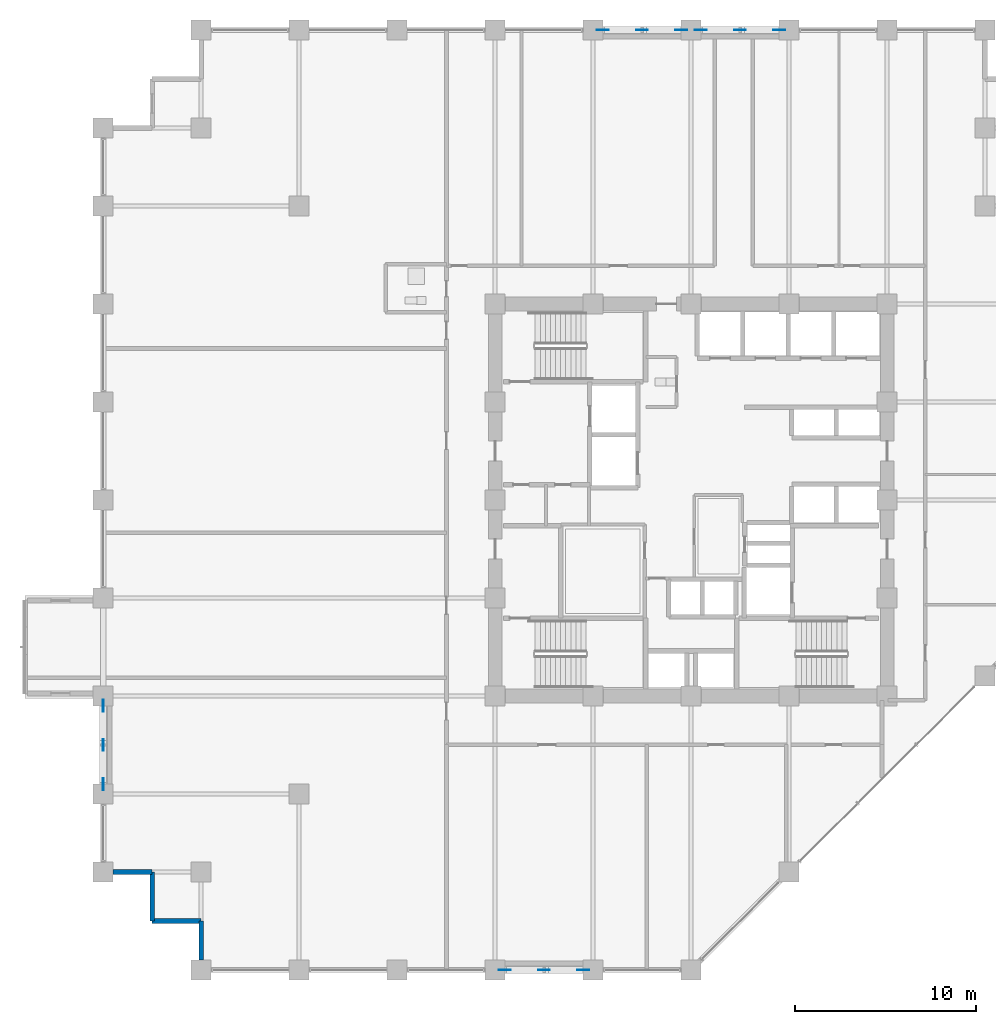
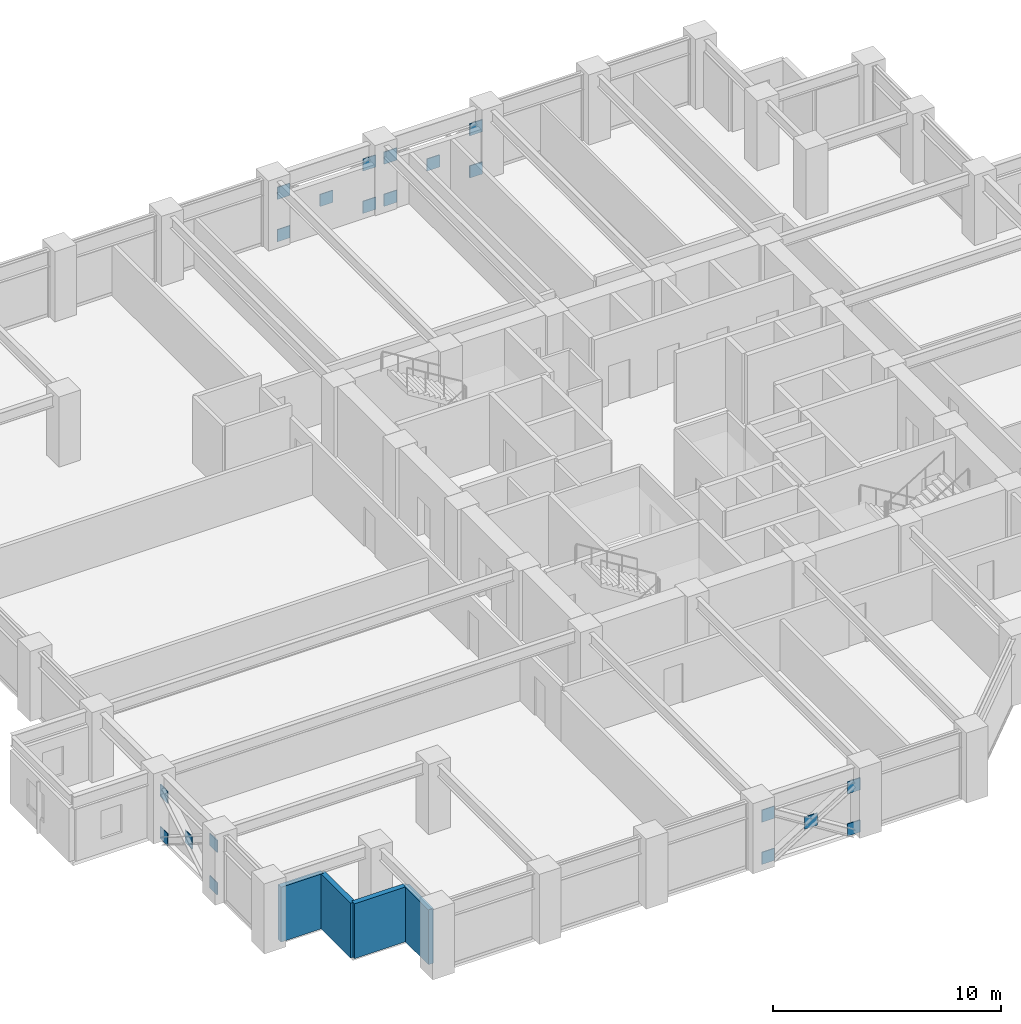
# One storey, part 21 of 29: 20 plates, 4 walls.
"""IFC4 building model written with IfcOpenShell, lengths in metres."""

from ifc_helpers import new_model, si_unit, direction, frame, frame_2d, origin, origin_2d, place, context, subcontext, project, spatial, rectangle, extrude, material, layer, layer_set, type_object, element, save


model = new_model("IFC4")

# Units and contexts
model_context = context("Model", 3, precision=1e-05, world=origin(), true_north=direction((0.0, 1.0)))
body_context = subcontext(model_context, "Body", "Model", "MODEL_VIEW")
ifc_project = project(units=[si_unit("LENGTHUNIT", "METRE"), si_unit("AREAUNIT", "SQUARE_METRE"), si_unit("VOLUMEUNIT", "CUBIC_METRE"), si_unit("PLANEANGLEUNIT", "RADIAN"), si_unit("MASSUNIT", "GRAM", prefix="KILO")], contexts=[model_context])

# Site, building, storey
site_placement = place(None, origin())
site = spatial("IfcSite", under=ifc_project, at=site_placement, CompositionType="ELEMENT")
building_placement = place(site_placement, origin())
building = spatial("IfcBuilding", under=site, at=building_placement, Name="Surkhivell Harbour Commons", CompositionType="ELEMENT")
storey_placement = place(building_placement, frame((0.0, 0.0, 90.75)))
storey = spatial("IfcBuildingStorey", under=building, at=storey_placement, Name="L23", CompositionType="ELEMENT", Elevation=90.75)

# Plates
ifc_material_1 = material(Name="Steel S460", Category="steel")
ifc_layer_1 = layer(ifc_material_1, 0.044921875)
ifc_layer_set_1 = layer_set([ifc_layer_1], Name="Steel S460")
plate_type = type_object("IfcPlateType", Name="PLT-GUS-650", PredefinedType="USERDEFINED", material=ifc_layer_set_1)
for number, where, z_axis, x_axis, name in (
    (1, (-4.864990234375, 25.89990234375, -0.08935546875), (0.0, 0.0, 1.0), (1.0, 0.0, 0.0), "L23 Perimeter Mega-Brace MB- Corner Gusset N-1"),
    (2, (-0.534912109375, 25.89990234375, -0.08935546875), (0.0, 0.0, 1.0), (1.0, 0.0, 0.0), "L23 Perimeter Mega-Brace MB- Corner Gusset N-2"),
    (3, (-4.864990234375, 25.89990234375, 2.170654296875), (0.0, 0.0, 1.0), (1.0, 0.0, 0.0), "L23 Perimeter Mega-Brace MB- Corner Gusset N-3"),
    (4, (-0.534912109375, 25.89990234375, 2.170654296875), (0.0, 0.0, 1.0), (1.0, 0.0, 0.0), "L23 Perimeter Mega-Brace MB- Corner Gusset N-4"),
    (5, (-2.699951171875, 25.89990234375, 1.04052734375), (0.0, 0.0, 1.0), (1.0, 0.0, 0.0), "L23 Perimeter Mega-Brace MB- Central Crossing Gusset N"),
    (6, (0.534912109375, 25.89990234375, -0.08935546875), (0.0, 0.0, 1.0), (1.0, 0.0, 0.0), "L23 Perimeter Mega-Brace MB- Corner Gusset N2-1"),
    (7, (4.864990234375, 25.89990234375, -0.08935546875), (0.0, 0.0, 1.0), (1.0, 0.0, 0.0), "L23 Perimeter Mega-Brace MB- Corner Gusset N2-2"),
    (8, (0.534912109375, 25.89990234375, 2.170654296875), (0.0, 0.0, 1.0), (1.0, 0.0, 0.0), "L23 Perimeter Mega-Brace MB- Corner Gusset N2-3"),
    (9, (4.864990234375, 25.89990234375, 2.170654296875), (0.0, 0.0, 1.0), (1.0, 0.0, 0.0), "L23 Perimeter Mega-Brace MB- Corner Gusset N2-4"),
    (10, (2.699951171875, 25.89990234375, 1.04052734375), (0.0, 0.0, 1.0), (1.0, 0.0, 0.0), "L23 Perimeter Mega-Brace MB- Central Crossing Gusset N2"),
    (11, (-10.264892578125, -25.89990234375, -0.08935546875), (0.0, 0.0, 1.0), (1.0, 0.0, 0.0), "L23 Perimeter Mega-Brace MB- Corner Gusset S-1"),
    (12, (-5.93505859375, -25.89990234375, -0.08935546875), (0.0, 0.0, 1.0), (1.0, 0.0, 0.0), "L23 Perimeter Mega-Brace MB- Corner Gusset S-2"),
    (13, (-10.264892578125, -25.89990234375, 2.170654296875), (0.0, 0.0, 1.0), (1.0, 0.0, 0.0), "L23 Perimeter Mega-Brace MB- Corner Gusset S-3"),
    (14, (-5.93505859375, -25.89990234375, 2.170654296875), (0.0, 0.0, 1.0), (1.0, 0.0, 0.0), "L23 Perimeter Mega-Brace MB- Corner Gusset S-4"),
    (15, (-8.10009765625, -25.89990234375, 1.04052734375), (0.0, 0.0, 1.0), (1.0, 0.0, 0.0), "L23 Perimeter Mega-Brace MB- Central Crossing Gusset S"),
    (16, (-32.39990234375, -15.6650390625, -0.08935546875), (0.0, 0.0, 1.0), (0.0, 1.0, 0.0), "L23 Perimeter Mega-Brace MB- Corner Gusset W-1"),
    (17, (-32.39990234375, -11.3349609375, -0.08935546875), (0.0, 0.0, 1.0), (0.0, 1.0, 0.0), "L23 Perimeter Mega-Brace MB- Corner Gusset W-2"),
    (18, (-32.39990234375, -15.6650390625, 2.170654296875), (0.0, 0.0, 1.0), (0.0, 1.0, 0.0), "L23 Perimeter Mega-Brace MB- Corner Gusset W-3"),
    (19, (-32.39990234375, -11.3349609375, 2.170654296875), (0.0, 0.0, 1.0), (0.0, 1.0, 0.0), "L23 Perimeter Mega-Brace MB- Corner Gusset W-4"),
    (20, (-32.39990234375, -13.5, 1.04052734375), (0.0, 0.0, 1.0), (0.0, 1.0, 0.0), "L23 Perimeter Mega-Brace MB- Central Crossing Gusset W"),
):
    element("IfcPlate", number, at=place(storey_placement, frame(where, z_axis=z_axis, x_axis=x_axis)), inside=storey, type_object=plate_type, Name=name, ObjectType="GUSSET_PLATE", PredefinedType="USERDEFINED", context=body_context, shape_type="SweptSolid", body=[
        extrude(rectangle(XDim=0.64990234375, YDim=0.044921875, at=origin_2d()), origin(), (0.0, 0.0, 1.0), 0.64990234375),
    ])

# Walls
ifc_material_2 = material(Name="Pale-metal insulated precast concrete C45/55", Category="concrete")
ifc_layer_2 = layer(ifc_material_2, 0.260009765625)
ifc_layer_set_2 = layer_set([ifc_layer_2], Name="Pale-metal insulated precast concrete C45/55")
wall_type = type_object("IfcWallType", Name="WAL-EXT-MTL260", PredefinedType="STANDARD", material=ifc_layer_set_2)
wall_1_placement = place(storey_placement, frame((-31.85205078125, -20.5, 0.0), z_axis=(0.0, 0.0, 1.0), x_axis=(1.0, 0.0, 0.0)))
element("IfcWall", 21, at=wall_1_placement, inside=storey, type_object=wall_type, Name="L23 Serrated Corner Facade Wall 13", PredefinedType="STANDARD", context=body_context, shape_type="SweptSolid", body=[
    extrude(rectangle(XDim=2.152099609375, YDim=0.260009765625, at=frame_2d((1.076171875, 0.0))), origin(), (0.0, 0.0, 1.0), 2.93310546875),
])
for number, where, z_axis, x_axis, name in (
    (22, (-29.699951171875, -20.5, 0.0), (0.0, 0.0, 1.0), (0.0, -1.0, 0.0), "L23 Serrated Corner Facade Wall 14"),
    (23, (-29.699951171875, -23.199951171875, 0.0), (0.0, 0.0, 1.0), (1.0, 0.0, 0.0), "L23 Serrated Corner Facade Wall 15"),
):
    element("IfcWall", number, at=place(storey_placement, frame(where, z_axis=z_axis, x_axis=x_axis)), inside=storey, type_object=wall_type, Name=name, PredefinedType="STANDARD", context=body_context, shape_type="SweptSolid", body=[
        extrude(rectangle(XDim=2.699951171875, YDim=0.260009765625, at=frame_2d((1.35009765625, 0.0))), origin(), (0.0, 0.0, 1.0), 2.93310546875),
    ])
wall_2_placement = place(storey_placement, frame((-27.0, -23.199951171875, 0.0), z_axis=(0.0, 0.0, 1.0), x_axis=(0.0, -1.0, 0.0)))
element("IfcWall", 24, at=wall_2_placement, inside=storey, type_object=wall_type, Name="L23 Serrated Corner Facade Wall 16", PredefinedType="STANDARD", context=body_context, shape_type="SweptSolid", body=[
    extrude(rectangle(XDim=2.152099609375, YDim=0.260009765625, at=frame_2d((1.076171875, 0.0))), origin(), (0.0, 0.0, 1.0), 2.93310546875),
])

save(model, "model.ifc")
